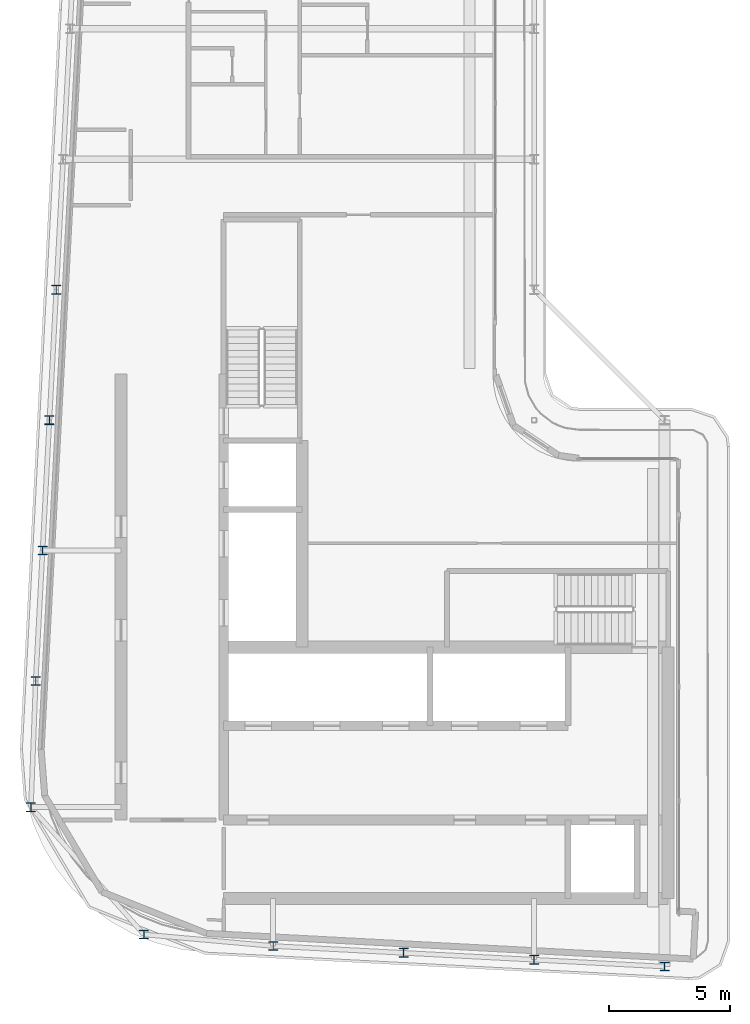
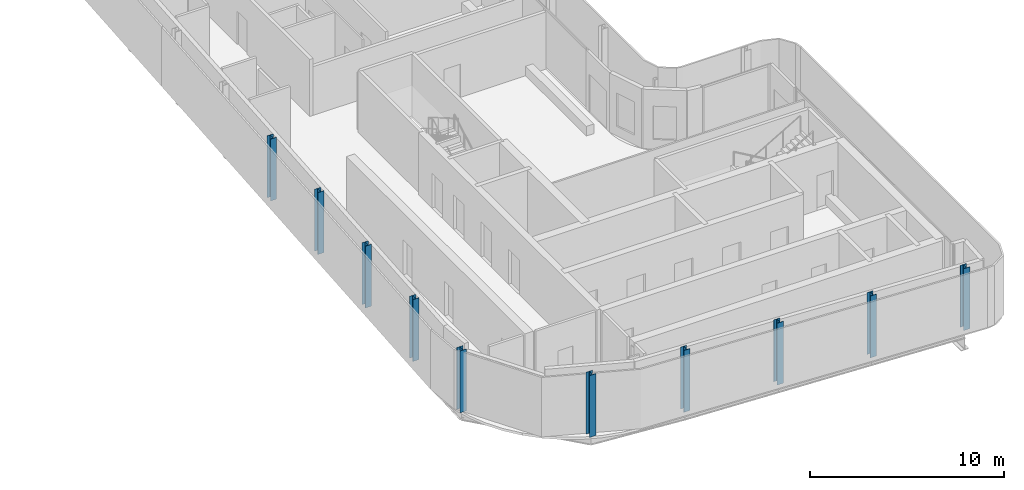
# One storey, part 1 of 19: 10 columns.
"""IFC4 building model written with IfcOpenShell, lengths in metres."""

from ifc_helpers import new_model, si_unit, direction, frame, origin, origin_2d, place, context, subcontext, project, spatial, i_section, extrude, material, material_profile, profile_set, type_object, element, save


model = new_model("IFC4")

# Units and contexts
model_context = context("Model", 3, precision=1e-05, world=origin(), true_north=direction((0.0, 1.0)))
body_context = subcontext(model_context, "Body", "Model", "MODEL_VIEW")
ifc_project = project(units=[si_unit("LENGTHUNIT", "METRE"), si_unit("AREAUNIT", "SQUARE_METRE"), si_unit("VOLUMEUNIT", "CUBIC_METRE"), si_unit("PLANEANGLEUNIT", "RADIAN"), si_unit("MASSUNIT", "GRAM", prefix="KILO")], contexts=[model_context])

# Site, building, storey
site_placement = place(None, origin())
site = spatial("IfcSite", under=ifc_project, at=site_placement, CompositionType="ELEMENT")
building_placement = place(site_placement, origin())
building = spatial("IfcBuilding", under=site, at=building_placement, Name="Kheshtan School and Residences Tower", CompositionType="ELEMENT")
storey_placement = place(building_placement, frame((0.0, 0.0, 350.0)))
storey = spatial("IfcBuildingStorey", under=building, at=storey_placement, Name="L82", CompositionType="ELEMENT", Elevation=350.0)

# Columns
ifc_material = material(Name="Steel ASTM A992 Grade 50", Category="steel")
ifc_material_profile = material_profile(ifc_material, i_section(OverallWidth=0.37109375, OverallDepth=0.364013671875, WebThickness=0.01318359375, FlangeThickness=0.021728515625, FilletRadius=0.010986328125, at=origin_2d()), Name="W360x162")
ifc_profile_set = profile_set([ifc_material_profile], Name="Steel ASTM A992 Grade 50")
column_type = type_object("IfcColumnType", Name="Column C6 W360x162 ASTM A992 Grade 50", PredefinedType="COLUMN", material=ifc_profile_set)
for number, where, z_axis, x_axis, name in (
    (1, (53.0, 22.97998046875, 0.0), (0.0, 0.0, 1.0), (1.0, 0.0, 0.0), "Column C019"),
    (2, (47.60009765625, 23.263916015625, 0.0), (0.0, 0.0, 1.0), (1.0, 0.0, 0.0), "Column C020"),
    (3, (42.199951171875, 23.548095703125, 0.0), (0.0, 0.0, 1.0), (1.0, 0.0, 0.0), "Column C021"),
    (4, (36.800048828125, 23.83203125, 0.0), (0.0, 0.0, 1.0), (1.0, 0.0, 0.0), "Column C022"),
    (5, (31.449951171875, 24.31005859375, 0.0), (0.0, 0.0, 1.0), (1.0, 0.0, 0.0), "Column C035"),
    (6, (26.77294921875, 29.5791015625, 0.0), (0.0, 0.0, 1.0), (1.0, 0.0, 0.0), "Column C047"),
    (7, (26.968994140625, 34.800048828125, 0.0), (0.0, 0.0, 1.0), (1.0, 0.0, 0.0), "Column C052"),
    (8, (27.2529296875, 40.199951171875, 0.0), (0.0, 0.0, 1.0), (1.0, 0.0, 0.0), "Column C056"),
    (9, (27.537109375, 45.60009765625, 0.0), (0.0, 0.0, 1.0), (1.0, 0.0, 0.0), "Column C059"),
    (10, (27.822021484375, 51.0, 0.0), (0.0, 0.0, 1.0), (1.0, 0.0, 0.0), "Column C078"),
):
    element("IfcColumn", number, at=place(storey_placement, frame(where, z_axis=z_axis, x_axis=x_axis)), inside=storey, type_object=column_type, Name=name, PredefinedType="COLUMN", context=body_context, shape_type="SweptSolid", body=[
        extrude(i_section(OverallWidth=0.37109375, OverallDepth=0.364013671875, WebThickness=0.01318359375, FlangeThickness=0.021728515625, FilletRadius=0.010986328125, at=origin_2d()), origin(), (0.0, 0.0, 1.0), 3.89990234375),
    ])

save(model, "model.ifc")
